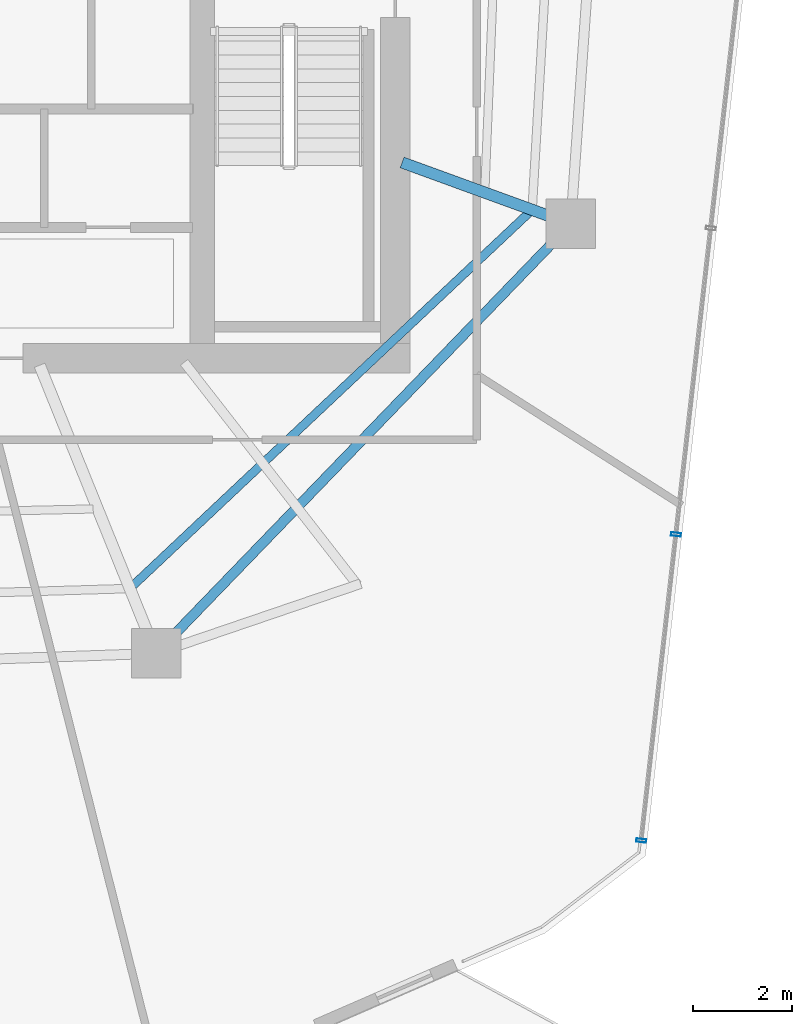
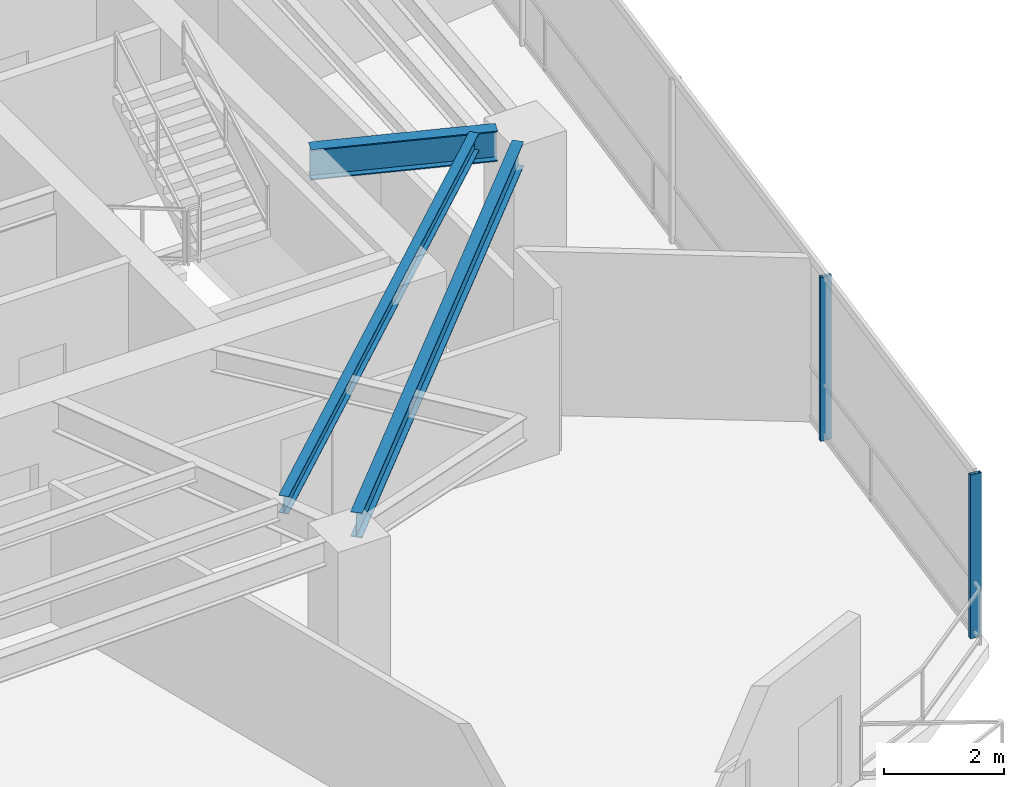
# One storey, part 9 of 22: 3 beams, 2 members, 1 element without a shape of its own.
"""IFC4 building model written with IfcOpenShell, lengths in metres."""

import ifcopenshell
import ifcopenshell.guid

model = None  # the IFC model being written
_history = None  # IfcOwnerHistory: only IFC2X3 demands one
_inside = {}  # id of a spatial element -> (the spatial element, [elements in it])
_under = {}  # id of a project, library or spatial element -> (it, [spatial elements below it])
_declared = {}  # id of a project -> (the project, [libraries it declares])
_typed = {}  # id of a type object -> (the type object, [elements of that type])
_made_of = {}  # id of a material, layer set ... -> (it, [elements and type objects made of it])


def new_model(schema):
    """Start an empty IFC model of exactly this schema.

    Asked for "IFC4X3", IfcOpenShell would pick the latest addendum, in which some entities
    have other attributes; the version numbers below select the first issue.
    IFC2X3 requires an IfcOwnerHistory on every rooted entity: one is made here for all.
    """
    global model, _history
    if schema == "IFC4X3":
        model = ifcopenshell.file(schema_version=(4, 3, 0, 0))
    else:
        model = ifcopenshell.file(schema=schema)
    _inside.clear()
    _under.clear()
    _declared.clear()
    _typed.clear()
    _made_of.clear()
    _history = None
    if model.schema == "IFC2X3":
        org = make("IfcOrganization", Name="unknown")
        user = make(
            "IfcPersonAndOrganization",
            ThePerson=make("IfcPerson", FamilyName="unknown"),
            TheOrganization=org,
        )
        app = make(
            "IfcApplication",
            ApplicationDeveloper=org,
            Version="unknown",
            ApplicationFullName="unknown",
            ApplicationIdentifier="unknown",
        )
        _history = make(
            "IfcOwnerHistory",
            OwningUser=user,
            OwningApplication=app,
            ChangeAction="ADDED",
            CreationDate=0,
        )
    return model


def make(cls, **values):
    """One entity of the class cls with the attributes given. An attribute that is None is left unset."""
    return model.create_entity(
        cls, **{name: value for name, value in values.items() if value is not None}
    )


def rooted(cls, **values):
    """An entity with a GlobalId (a new one), such as an element, a storey or a relation."""
    return make(cls, GlobalId=ifcopenshell.guid.new(), OwnerHistory=_history, **values)


def si_unit(unit_type, name, prefix=None):
    """IfcSIUnit, for example si_unit("LENGTHUNIT", "METRE", prefix="MILLI")."""
    return make("IfcSIUnit", UnitType=unit_type, Prefix=prefix, Name=name)


def assignment(units):
    """IfcUnitAssignment: the units of a project."""
    return None if units is None else make("IfcUnitAssignment", Units=units)


def point(xyz):
    """IfcCartesianPoint."""
    return None if xyz is None else make("IfcCartesianPoint", Coordinates=xyz)


def direction(xyz):
    """IfcDirection."""
    return None if xyz is None else make("IfcDirection", DirectionRatios=xyz)


def frame(location, z_axis=None, x_axis=None):
    """IfcAxis2Placement3D, a coordinate frame: its origin and axes. An axis left out is left unset."""
    return make(
        "IfcAxis2Placement3D",
        Location=point(location),
        Axis=direction(z_axis),
        RefDirection=direction(x_axis),
    )


def frame_2d(location, x_axis=None):
    """IfcAxis2Placement2D, a coordinate frame in the plane: its origin and x axis."""
    return make(
        "IfcAxis2Placement2D", Location=point(location), RefDirection=direction(x_axis)
    )


def origin():
    """The frame at (0, 0, 0) with its axes left unset."""
    return frame((0.0, 0.0, 0.0))


def origin_2d():
    """The frame at (0, 0) in the plane with its x axis left unset."""
    return frame_2d((0.0, 0.0))


def place(relative_to, where):
    """IfcLocalPlacement: puts the frame where relative to a parent placement (None: the world)."""
    return make(
        "IfcLocalPlacement", PlacementRelTo=relative_to, RelativePlacement=where
    )


def context(
    kind, dimensions, precision=None, world=None, true_north=None, identifier=None
):
    """IfcGeometricRepresentationContext, for example the 3D "Model" context."""
    return make(
        "IfcGeometricRepresentationContext",
        ContextIdentifier=identifier,
        ContextType=kind,
        CoordinateSpaceDimension=dimensions,
        Precision=precision,
        WorldCoordinateSystem=world,
        TrueNorth=true_north,
    )


def subcontext(parent, identifier, kind, view, scale=None):
    """IfcGeometricRepresentationSubContext, for example "Body" below "Model"."""
    return make(
        "IfcGeometricRepresentationSubContext",
        ContextIdentifier=identifier,
        ContextType=kind,
        ParentContext=parent,
        TargetScale=scale,
        TargetView=view,
    )


def project(units=None, contexts=None):
    """IfcProject with its units and contexts."""
    return rooted(
        "IfcProject",
        Name="project",
        RepresentationContexts=contexts,
        UnitsInContext=assignment(units),
    )


def spatial(cls, under=None, at=None, **own):
    """A site, building, storey or space (cls), placed at a placement, below another one or the project."""
    s = rooted(cls, ObjectPlacement=at, **own)
    if under is not None:
        _under.setdefault(under.id(), (under, []))[1].append(s)
    return s


def profile(cls, at=None, kind="AREA", **sizes):
    """A parametric profile (cls). Its sizes go by their IFC names, for example OverallWidth=200.0."""
    return make(cls, ProfileType=kind, Position=at, **sizes)


def hollow_rectangle(**sizes):
    """IfcRectangleHollowProfileDef."""
    return profile("IfcRectangleHollowProfileDef", **sizes)


def i_section(**sizes):
    """IfcIShapeProfileDef."""
    return profile("IfcIShapeProfileDef", **sizes)


def extrude(swept, where, along, depth):
    """IfcExtrudedAreaSolid: the profile swept, set in the frame where, extruded along a direction by depth."""
    return make(
        "IfcExtrudedAreaSolid",
        SweptArea=swept,
        Position=where,
        ExtrudedDirection=direction(along),
        Depth=depth,
    )


def shape(context_of_items, identifier, shape_type, items):
    """IfcShapeRepresentation: the items that make up one representation, for example the "Body"."""
    return make(
        "IfcShapeRepresentation",
        ContextOfItems=context_of_items,
        RepresentationIdentifier=identifier,
        RepresentationType=shape_type,
        Items=items,
    )


def material(Name=None, Category=None):
    """IfcMaterial."""
    return make("IfcMaterial", Name=Name, Category=Category)


def layer(
    of_material, thickness, ventilated=None, Name=None, Category=None, Priority=None
):
    """IfcMaterialLayer: one layer of a wall or slab, of a material (None: an air gap)."""
    return make(
        "IfcMaterialLayer",
        Material=of_material,
        LayerThickness=thickness,
        IsVentilated=ventilated,
        Name=Name,
        Category=Category,
        Priority=Priority,
    )


def layer_set(layers, Name=None):
    """IfcMaterialLayerSet."""
    return make("IfcMaterialLayerSet", MaterialLayers=layers, LayerSetName=Name)


def material_profile(
    of_material, cross_section, Name=None, Category=None, Priority=None
):
    """IfcMaterialProfile: a cross section and its material."""
    return make(
        "IfcMaterialProfile",
        Name=Name,
        Material=of_material,
        Profile=cross_section,
        Priority=Priority,
        Category=Category,
    )


def profile_set(profiles, Name=None, composite=None):
    """IfcMaterialProfileSet."""
    return make(
        "IfcMaterialProfileSet",
        Name=Name,
        MaterialProfiles=profiles,
        CompositeProfile=composite,
    )


def made_of(thing, what):
    """Note that an element or type object is made of a material, layer set ...; save() writes the relation."""
    if what is not None:
        _made_of.setdefault(what.id(), (what, []))[1].append(thing)
    return thing


def type_object(cls, material=None, **own):
    """A type object (cls), such as IfcWallType, which elements share."""
    return made_of(rooted(cls, **own), material)


def element(
    cls,
    number,
    at=None,
    inside=None,
    cuts=None,
    type_object=None,
    material=None,
    context=None,
    identifier="Body",
    shape_type=None,
    held_by="IfcProductDefinitionShape",
    body=None,
    shapes=None,
    **own,
):
    """One element of the class cls, such as IfcWall. Its Tag is "e" and its number.

    at: its placement. inside: the storey or other place that contains it. cuts: it is an
    opening in that element (IfcRelVoidsElement). A single representation is given by context,
    identifier, shape_type and body (its items); several are given by shapes. held_by: the class
    of the entity that holds the representations. save() writes the other relations.
    """
    e = rooted(cls, Tag="e%d" % number, ObjectPlacement=at, **own)
    if body is not None:
        shapes = [shape(context, identifier, shape_type, body)]
    if shapes is not None:
        e.Representation = make(held_by, Representations=shapes)
    if inside is not None:
        _inside.setdefault(inside.id(), (inside, []))[1].append(e)
    if cuts is not None:
        rooted(
            "IfcRelVoidsElement", RelatingBuildingElement=cuts, RelatedOpeningElement=e
        )
    if type_object is not None:
        _typed.setdefault(type_object.id(), (type_object, []))[1].append(e)
    return made_of(e, material)


def aggregate(whole, parts):
    """IfcRelAggregates: a whole, such as a stair, and the parts it consists of."""
    return rooted("IfcRelAggregates", RelatingObject=whole, RelatedObjects=parts)


def save(model, path):
    """Write the relations noted so far, then the file.

    IfcRelAggregates (storeys below a building ...), IfcRelContainedInSpatialStructure (elements
    in a storey), IfcRelDefinesByType, IfcRelAssociatesMaterial and IfcRelDeclares: one each for
    every whole, place, type object, material and project.
    """
    for whole, parts in _under.values():
        aggregate(whole, parts)
    for where, things in _inside.values():
        rooted(
            "IfcRelContainedInSpatialStructure",
            RelatedElements=things,
            RelatingStructure=where,
        )
    for kind, things in _typed.values():
        rooted("IfcRelDefinesByType", RelatedObjects=things, RelatingType=kind)
    for what, things in _made_of.values():
        rooted("IfcRelAssociatesMaterial", RelatedObjects=things, RelatingMaterial=what)
    for by, libraries in _declared.values():
        rooted("IfcRelDeclares", RelatingContext=by, RelatedDefinitions=libraries)
    model.write(path)


model = new_model("IFC4")

# Units and contexts
model_context = context("Model", 3, precision=1e-05, world=origin(), true_north=direction((0.0, 1.0)))
body_context = subcontext(model_context, "Body", "Model", "MODEL_VIEW")
ifc_project = project(units=[si_unit("LENGTHUNIT", "METRE"), si_unit("AREAUNIT", "SQUARE_METRE"), si_unit("VOLUMEUNIT", "CUBIC_METRE"), si_unit("PLANEANGLEUNIT", "RADIAN"), si_unit("MASSUNIT", "GRAM", prefix="KILO")], contexts=[model_context])

# Site, building, storey
site_placement = place(None, origin())
site = spatial("IfcSite", under=ifc_project, at=site_placement, CompositionType="ELEMENT")
building_placement = place(site_placement, origin())
building = spatial("IfcBuilding", under=site, at=building_placement, Name="Qarnah Convention Tower", CompositionType="ELEMENT")
storey_placement = place(building_placement, frame((0.0, 0.0, 154.5)))
storey = spatial("IfcBuildingStorey", under=building, at=storey_placement, Name="L41", CompositionType="ELEMENT", Elevation=154.5)

# Beams
ifc_material_1 = material(Name="Structural steel S355JR", Category="steel")
ifc_material_profile_1 = material_profile(ifc_material_1, i_section(OverallWidth=0.172119140625, OverallDepth=0.35595703125, WebThickness=0.007080078125, FlangeThickness=0.011962890625, at=origin_2d()), Name="W360X51")
ifc_profile_set_1 = profile_set([ifc_material_profile_1], Name="Structural steel S355JR")
beam_type_1 = type_object("IfcBeamType", Name="BM-JST-W360", PredefinedType="JOIST", material=ifc_profile_set_1)
beam_1_placement = place(storey_placement, frame((42.298095703125, 14.006103515625, 3.14208984375), z_axis=(0.728151110704, 0.685416632408, 0.0), x_axis=(-0.685416632408, 0.728151110704, 0.0)))
element("IfcBeam", 1, at=beam_1_placement, inside=storey, type_object=beam_type_1, Name="L41 joist BM-L41-SJST-08", PredefinedType="JOIST", context=body_context, shape_type="SweptSolid", body=[
    extrude(i_section(OverallWidth=0.172119140625, OverallDepth=0.35595703125, WebThickness=0.007080078125, FlangeThickness=0.011962890625, at=origin_2d()), origin(), (0.0, 0.0, 1.0), 10.99755859375),
])
ifc_material_profile_2 = material_profile(ifc_material_1, i_section(OverallWidth=0.22998046875, OverallDepth=0.617919921875, WebThickness=0.012939453125, FlangeThickness=0.02197265625, at=origin_2d()), Name="W610X140")
ifc_profile_set_2 = profile_set([ifc_material_profile_2], Name="Structural steel S355JR")
beam_type_2 = type_object("IfcBeamType", Name="BM-RAD-W610A", PredefinedType="BEAM", material=ifc_profile_set_2)
beam_2_placement = place(storey_placement, frame((47.740966796875, 22.56396484375, 3.010986328125), z_axis=(0.939610124669, -0.342246714549, 0.0), x_axis=(0.342246714549, 0.939610124669, 0.0)))
element("IfcBeam", 2, at=beam_2_placement, inside=storey, type_object=beam_type_2, Name="L41 beam BM-L41-RAD-09", PredefinedType="BEAM", context=body_context, shape_type="SweptSolid", body=[
    extrude(i_section(OverallWidth=0.22998046875, OverallDepth=0.617919921875, WebThickness=0.012939453125, FlangeThickness=0.02197265625, at=origin_2d()), origin(), (0.0, 0.0, 1.0), 3.15234375),
])
ifc_material_profile_3 = material_profile(ifc_material_1, i_section(OverallWidth=0.199951171875, OverallDepth=0.5, WebThickness=0.010009765625, FlangeThickness=0.01611328125, at=origin_2d()), Name="IPE500")
ifc_profile_set_3 = profile_set([ifc_material_profile_3], Name="Structural steel S355JR")
beam_type_3 = type_object("IfcBeamType", Name="BM-SPN-IPE500", PredefinedType="SPANDREL", material=ifc_profile_set_3)
beam_3_placement = place(storey_placement, frame((43.10302734375, 12.98291015625, 3.070068359375), z_axis=(0.694605503013, 0.719390850084, 0.0), x_axis=(-0.719390850084, 0.694605503013, 0.0)))
element("IfcBeam", 3, at=beam_3_placement, inside=storey, type_object=beam_type_3, Name="L41 spandrel BM-L41-SPN-08", PredefinedType="SPANDREL", context=body_context, shape_type="SweptSolid", body=[
    extrude(i_section(OverallWidth=0.199951171875, OverallDepth=0.5, WebThickness=0.010009765625, FlangeThickness=0.01611328125, at=origin_2d()), origin(), (0.0, 0.0, 1.0), 11.10107421875),
])

# Curtain wall, members
ifc_material_2 = material(Name="Tempered Low-E dark glass", Category="glass")
ifc_layer = layer(ifc_material_2, 0.172119140625)
ifc_layer_set = layer_set([ifc_layer], Name="Tempered Low-E dark glass")
curtain_wall_type = type_object("IfcCurtainWallType", Name="CWS-03", PredefinedType="NOTDEFINED", material=ifc_layer_set)
curtain_wall_placement = place(storey_placement, origin())
curtain_wall = element("IfcCurtainWall", 4, at=curtain_wall_placement, inside=storey, type_object=curtain_wall_type, Name="L41 unitised curtain wall CW-L41-F3", PredefinedType="NOTDEFINED")
ifc_material_3 = material(Name="Black anodised aluminium", Category="aluminium")
ifc_material_profile_4 = material_profile(ifc_material_3, hollow_rectangle(XDim=0.070068359375, YDim=0.199951171875, WallThickness=0.0048828125, at=origin_2d()), Name="MUL-70X200")
ifc_profile_set_4 = profile_set([ifc_material_profile_4], Name="Black anodised aluminium")
member_type = type_object("IfcMemberType", Name="MUL-T3", PredefinedType="MULLION", material=ifc_profile_set_4)
member_1_placement = place(storey_placement, frame((53.28271484375, 15.0390625, 0.0), z_axis=(0.0, 0.0, 1.0), x_axis=(-0.11288161714, -0.993608444264, 0.0)))
member_1 = element("IfcMember", 5, at=member_1_placement, type_object=member_type, Name="CW-L41-F3 mullion 5", PredefinedType="MULLION", context=body_context, shape_type="SweptSolid", body=[
    extrude(hollow_rectangle(XDim=0.070068359375, YDim=0.199951171875, WallThickness=0.0048828125, at=origin_2d()), origin(), (0.0, 0.0, 1.0), 3.320068359375),
])
member_2_placement = place(storey_placement, frame((52.5791015625, 8.843994140625, 0.0), z_axis=(0.0, 0.0, 1.0), x_axis=(-0.11288161714, -0.993608444264, 0.0)))
member_2 = element("IfcMember", 6, at=member_2_placement, type_object=member_type, Name="CW-L41-F3 mullion 6", PredefinedType="MULLION", context=body_context, shape_type="SweptSolid", body=[
    extrude(hollow_rectangle(XDim=0.070068359375, YDim=0.199951171875, WallThickness=0.0048828125, at=origin_2d()), origin(), (0.0, 0.0, 1.0), 3.320068359375),
])
aggregate(curtain_wall, [member_1, member_2])

save(model, "model.ifc")
